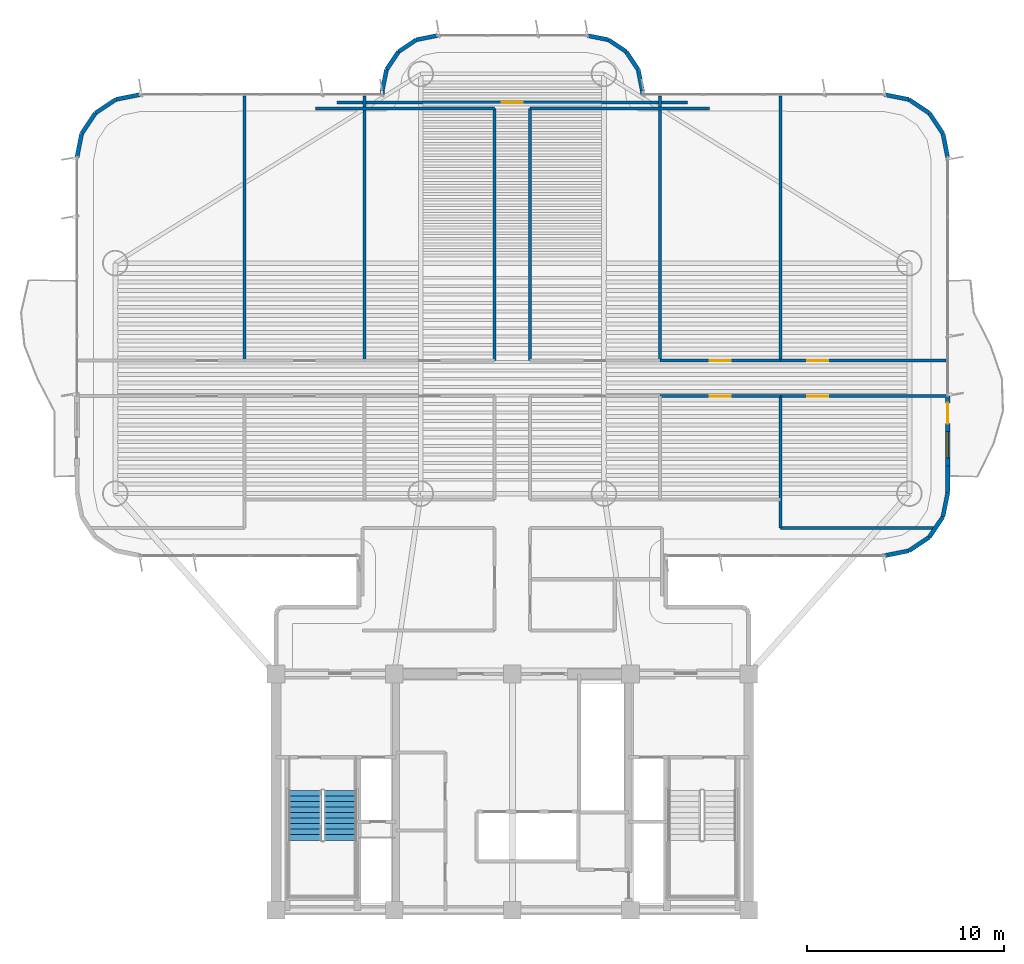
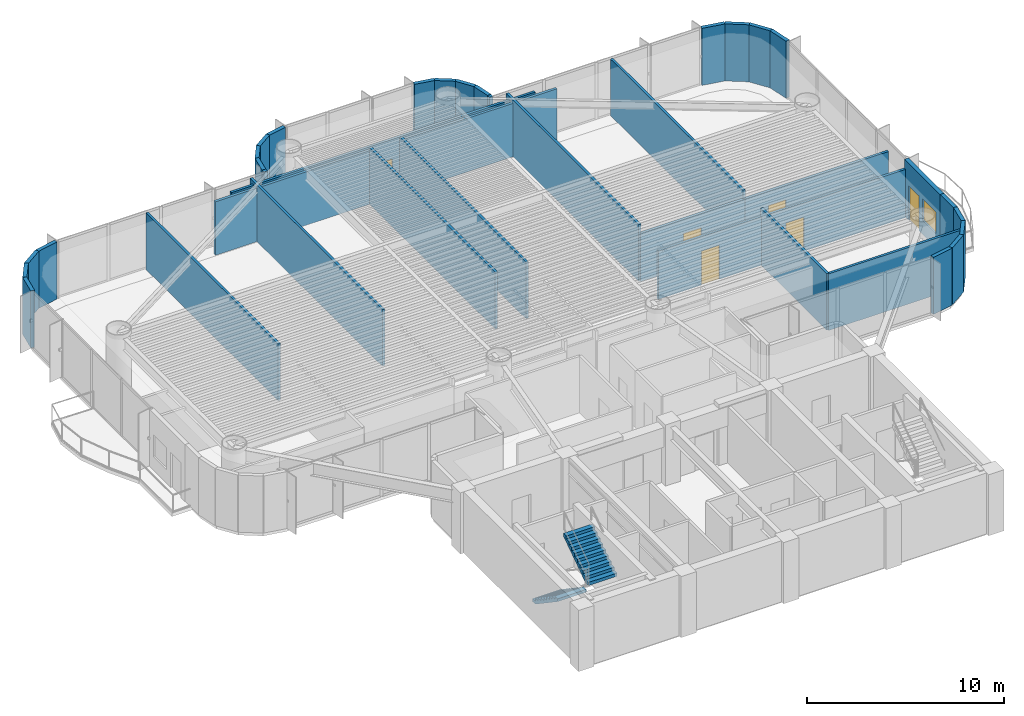
# One storey, part 11 of 16: 39 walls, 6 doors, 2 stair flights, 1 window, 7 openings, 1 element without a shape of its own.
"""IFC4 building model written with IfcOpenShell, lengths in metres."""

from ifc_helpers import new_model, si_unit, direction, frame, frame_2d, origin, origin_2d, place, context, subcontext, project, spatial, polyline, rectangle, outline, extrude, source, transform, mapped, material, layer, layer_set, type_object, element, fill, aggregate, save


model = new_model("IFC4")

# Units and contexts
model_context = context("Model", 3, precision=1e-05, world=origin(), true_north=direction((0.0, 1.0)))
body_context = subcontext(model_context, "Body", "Model", "MODEL_VIEW")
ifc_project = project(units=[si_unit("LENGTHUNIT", "METRE"), si_unit("AREAUNIT", "SQUARE_METRE"), si_unit("VOLUMEUNIT", "CUBIC_METRE"), si_unit("PLANEANGLEUNIT", "RADIAN"), si_unit("MASSUNIT", "GRAM", prefix="KILO")], contexts=[model_context])

# Site, building, storey
site_placement = place(None, origin())
site = spatial("IfcSite", under=ifc_project, at=site_placement, CompositionType="ELEMENT")
building_placement = place(site_placement, origin())
building = spatial("IfcBuilding", under=site, at=building_placement, Name="Brelvock Crest Care Tower", CompositionType="ELEMENT")
storey_placement = place(building_placement, frame((0.0, 0.0, 108.719970703125)))
storey = spatial("IfcBuildingStorey", under=building, at=storey_placement, Name="L27", CompositionType="ELEMENT", Elevation=108.719970703125)

# Wall, openings, door, window
ifc_material_1 = material(Name="Precast concrete N40 (40 MPa)", Category="concrete")
ifc_layer_1 = layer(ifc_material_1, 0.239990234375, Name="WL-EX1")
ifc_layer_set_1 = layer_set([ifc_layer_1], Name="Precast concrete N40 (40 MPa)")
wall_type_1 = type_object("IfcWallType", Name="WL-EX1", PredefinedType="SOLIDWALL", material=ifc_layer_set_1)
wall_1_placement = place(storey_placement, frame((58.10009765625, 32.14990234375, 0.0), z_axis=(0.0, 0.0, 1.0), x_axis=(0.0, -1.0, 0.0)))
wall_1 = element("IfcWall", 1, at=wall_1_placement, inside=storey, type_object=wall_type_1, Name="L27 Exterior Spandrel Wall WL-BAL-L27-E", PredefinedType="SOLIDWALL", context=body_context, shape_type="SweptSolid", body=[
    extrude(rectangle(XDim=3.599853515625, YDim=0.239990234375, at=frame_2d((1.7998046875, 0.0))), origin(), (0.0, 0.0, 1.0), 3.530029296875),
])
opening_1_placement = place(wall_1_placement, frame((0.39990234375, 0.0, 0.0)))
opening_1 = element("IfcOpeningElement", 2, at=opening_1_placement, cuts=wall_1, Name="Opening BD-1", PredefinedType="OPENING", context=body_context, shape_type="SweptSolid", body=[
    extrude(rectangle(XDim=1.050048828125, YDim=2.14990234375, at=origin_2d()), frame((0.52490234375, 0.1298828125, 1.074951171875), z_axis=(0.0, -1.0, 0.0), x_axis=(1.0, 0.0, 0.0)), (0.0, 0.0, 1.0), 0.260009765625),
])
opening_2_placement = place(wall_1_placement, frame((1.85009765625, 0.0, 0.85009765625)))
opening_2 = element("IfcOpeningElement", 3, at=opening_2_placement, cuts=wall_1, Name="Opening W-01", PredefinedType="OPENING", context=body_context, shape_type="SweptSolid", body=[
    extrude(rectangle(XDim=1.35009765625, YDim=1.35009765625, at=origin_2d()), frame((0.675048828125, 0.1298828125, 0.675048828125), z_axis=(0.0, -1.0, 0.0), x_axis=(1.0, 0.0, 0.0)), (0.0, 0.0, 1.0), 0.260009765625),
])
ifc_material_2 = material(Name="Dark Glass Double Glazed Low-E", Category="glass")
door_type_1 = type_object("IfcDoorType", Name="DR-BAL1", OperationType="NOTDEFINED", PredefinedType="DOOR", material=ifc_material_2)
shared_shape_1 = source(origin(), body_context, "Body", "SweptSolid", [
    extrude(rectangle(XDim=1.050048828125, YDim=2.14990234375, at=origin_2d()), frame((0.52490234375, 0.02490234375, 1.074951171875), z_axis=(0.0, -1.0, 0.0), x_axis=(1.0, 0.0, 0.0)), (0.0, 0.0, 1.0), 0.050048828125),
])
door_1_placement = place(opening_1_placement, origin())
door_1 = element("IfcDoor", 4, at=door_1_placement, inside=storey, type_object=door_type_1, Name="L27 E Wave Balcony Glazed Door", OperationType="SINGLE_SWING_RIGHT", OverallHeight=2.14990234375, OverallWidth=1.050048828125, PredefinedType="DOOR", context=body_context, shape_type="MappedRepresentation", body=[
    mapped(shared_shape_1, transform((0.0, 0.0, 0.0), x_axis=(1.0, 0.0, 0.0), y_axis=(0.0, 1.0, 0.0), z_axis=(0.0, 0.0, 1.0), scale=1.0)),
])
fill(opening_1, door_1)
window_type = type_object("IfcWindowType", Name="WN-EX1", PartitioningType="SINGLE_PANEL", PredefinedType="WINDOW", material=ifc_material_2)
shared_shape_2 = source(origin(), body_context, "Body", "SweptSolid", [
    extrude(rectangle(XDim=1.35009765625, YDim=1.35009765625, at=origin_2d()), frame((0.675048828125, 0.030029296875, 0.675048828125), z_axis=(0.0, -1.0, 0.0), x_axis=(1.0, 0.0, 0.0)), (0.0, 0.0, 1.0), 0.06005859375),
])
window_placement = place(opening_2_placement, origin())
window = element("IfcWindow", 5, at=window_placement, inside=storey, type_object=window_type, Name="L27 E Suite Casement Window", OverallHeight=1.35009765625, OverallWidth=1.35009765625, PartitioningType="SINGLE_PANEL", PredefinedType="WINDOW", context=body_context, shape_type="MappedRepresentation", body=[
    mapped(shared_shape_2, transform((0.0, 0.0, 0.0), x_axis=(1.0, 0.0, 0.0), y_axis=(0.0, 1.0, 0.0), z_axis=(0.0, 0.0, 1.0), scale=1.0)),
])
fill(opening_2, window)

# Walls
ifc_layer_2 = layer(ifc_material_1, 0.215087890625, Name="WL-EX2")
ifc_layer_set_2 = layer_set([ifc_layer_2], Name="Precast concrete N40 (40 MPa)")
wall_type_2 = type_object("IfcWallType", Name="WL-EX2", PredefinedType="SOLIDWALL", material=ifc_layer_set_2)
for number, where, z_axis, x_axis, name in (
    (6, (13.89990234375, 44.199951171875, 0.0), (0.0, 0.0, 1.0), (0.195138390419, 0.980775717779, 0.0), "L27 Rounded Corner Wall 18"),
    (7, (14.1435546875, 45.424560546875, 0.0), (0.0, 0.0, 1.0), (0.555692485475, 0.831387912822, 0.0), "L27 Rounded Corner Wall 19"),
    (8, (14.83740234375, 46.462646484375, 0.0), (0.0, 0.0, 1.0), (0.831387912822, 0.555692485475, 0.0), "L27 Rounded Corner Wall 20"),
    (9, (15.87548828125, 47.156494140625, 0.0), (0.0, 0.0, 1.0), (0.980813122964, 0.194950295773, 0.0), "L27 Rounded Corner Wall 21"),
):
    element("IfcWall", number, at=place(storey_placement, frame(where, z_axis=z_axis, x_axis=x_axis)), inside=storey, type_object=wall_type_2, Name=name, PredefinedType="SOLIDWALL", context=body_context, shape_type="SweptSolid", body=[
        extrude(rectangle(XDim=1.24853515625, YDim=0.215087890625, at=frame_2d((0.624267578125, 0.0))), origin(), (0.0, 0.0, 1.0), 3.530029296875),
    ])
wall_2_placement = place(storey_placement, frame((29.39990234375, 47.39990234375, 0.0), z_axis=(0.0, 0.0, 1.0), x_axis=(0.0, 1.0, 0.0)))
element("IfcWall", 10, at=wall_2_placement, inside=storey, type_object=wall_type_2, Name="L27 Rounded Corner Wall 23", PredefinedType="SOLIDWALL", context=body_context, shape_type="SweptSolid", body=[
    extrude(rectangle(XDim=0.2001953125, YDim=0.215087890625, at=frame_2d((0.10009765625, 0.0))), origin(), (0.0, 0.0, 1.0), 3.530029296875),
])
wall_3_placement = place(storey_placement, frame((29.39990234375, 47.60009765625, 0.0), z_axis=(0.0, 0.0, 1.0), x_axis=(0.195127417394, 0.980777900945, 0.0)))
element("IfcWall", 11, at=wall_3_placement, inside=storey, type_object=wall_type_2, Name="L27 Rounded Corner Wall 24", PredefinedType="SOLIDWALL", context=body_context, shape_type="SweptSolid", body=[
    extrude(rectangle(XDim=1.09228515625, YDim=0.215087890625, at=frame_2d((0.546142578125, 0.0))), origin(), (0.0, 0.0, 1.0), 3.530029296875),
])
wall_4_placement = place(storey_placement, frame((29.613037109375, 48.67138671875, 0.0), z_axis=(0.0, 0.0, 1.0), x_axis=(0.555679482341, 0.831396603857, 0.0)))
element("IfcWall", 12, at=wall_4_placement, inside=storey, type_object=wall_type_2, Name="L27 Rounded Corner Wall 25", PredefinedType="SOLIDWALL", context=body_context, shape_type="SweptSolid", body=[
    extrude(rectangle(XDim=1.0927734375, YDim=0.215087890625, at=frame_2d((0.54638671875, 0.0))), origin(), (0.0, 0.0, 1.0), 3.530029296875),
])
for number, where, z_axis, x_axis, name in (
    (13, (30.22021484375, 49.579833984375, 0.0), (0.0, 0.0, 1.0), (0.831327592857, 0.555782721353, 0.0), "L27 Rounded Corner Wall 26"),
    (14, (31.12841796875, 50.18701171875, 0.0), (0.0, 0.0, 1.0), (0.980829143587, 0.194869677195, 0.0), "L27 Rounded Corner Wall 27"),
    (15, (39.800048828125, 50.39990234375, 0.0), (0.0, 0.0, 1.0), (0.980829143587, -0.194869677195, 0.0), "L27 Rounded Corner Wall 29"),
    (16, (40.87158203125, 50.18701171875, 0.0), (0.0, 0.0, 1.0), (0.831327592857, -0.555782721353, 0.0), "L27 Rounded Corner Wall 30"),
):
    element("IfcWall", number, at=place(storey_placement, frame(where, z_axis=z_axis, x_axis=x_axis)), inside=storey, type_object=wall_type_2, Name=name, PredefinedType="SOLIDWALL", context=body_context, shape_type="SweptSolid", body=[
        extrude(rectangle(XDim=1.092529296875, YDim=0.215087890625, at=frame_2d((0.54638671875, 0.0))), origin(), (0.0, 0.0, 1.0), 3.530029296875),
    ])
wall_5_placement = place(storey_placement, frame((41.77978515625, 49.579833984375, 0.0), z_axis=(0.0, 0.0, 1.0), x_axis=(0.555679482341, -0.831396603857, 0.0)))
element("IfcWall", 17, at=wall_5_placement, inside=storey, type_object=wall_type_2, Name="L27 Rounded Corner Wall 31", PredefinedType="SOLIDWALL", context=body_context, shape_type="SweptSolid", body=[
    extrude(rectangle(XDim=1.0927734375, YDim=0.215087890625, at=frame_2d((0.54638671875, 0.0))), origin(), (0.0, 0.0, 1.0), 3.530029296875),
])
wall_6_placement = place(storey_placement, frame((42.386962890625, 48.67138671875, 0.0), z_axis=(0.0, 0.0, 1.0), x_axis=(0.195127417394, -0.980777900945, 0.0)))
element("IfcWall", 18, at=wall_6_placement, inside=storey, type_object=wall_type_2, Name="L27 Rounded Corner Wall 32", PredefinedType="SOLIDWALL", context=body_context, shape_type="SweptSolid", body=[
    extrude(rectangle(XDim=1.09228515625, YDim=0.215087890625, at=frame_2d((0.546142578125, 0.0))), origin(), (0.0, 0.0, 1.0), 3.530029296875),
])
wall_7_placement = place(storey_placement, frame((42.60009765625, 47.60009765625, 0.0), z_axis=(0.0, 0.0, 1.0), x_axis=(0.0, -1.0, 0.0)))
element("IfcWall", 19, at=wall_7_placement, inside=storey, type_object=wall_type_2, Name="L27 Rounded Corner Wall 33", PredefinedType="SOLIDWALL", context=body_context, shape_type="SweptSolid", body=[
    extrude(rectangle(XDim=0.2001953125, YDim=0.215087890625, at=frame_2d((0.10009765625, 0.0))), origin(), (0.0, 0.0, 1.0), 3.530029296875),
])
for number, where, z_axis, x_axis, name in (
    (20, (54.89990234375, 47.39990234375, 0.0), (0.0, 0.0, 1.0), (0.980813122964, -0.194950295773, 0.0), "L27 Rounded Corner Wall 35"),
    (21, (56.12451171875, 47.156494140625, 0.0), (0.0, 0.0, 1.0), (0.831387912822, -0.555692485475, 0.0), "L27 Rounded Corner Wall 36"),
    (22, (57.16259765625, 46.462646484375, 0.0), (0.0, 0.0, 1.0), (0.555692485475, -0.831387912822, 0.0), "L27 Rounded Corner Wall 37"),
    (23, (57.8564453125, 45.424560546875, 0.0), (0.0, 0.0, 1.0), (0.195138390419, -0.980775717779, 0.0), "L27 Rounded Corner Wall 38"),
):
    element("IfcWall", number, at=place(storey_placement, frame(where, z_axis=z_axis, x_axis=x_axis)), inside=storey, type_object=wall_type_2, Name=name, PredefinedType="SOLIDWALL", context=body_context, shape_type="SweptSolid", body=[
        extrude(rectangle(XDim=1.24853515625, YDim=0.215087890625, at=frame_2d((0.624267578125, 0.0))), origin(), (0.0, 0.0, 1.0), 3.530029296875),
    ])
wall_8_placement = place(storey_placement, frame((58.10009765625, 28.550048828125, 0.0), z_axis=(0.0, 0.0, 1.0), x_axis=(0.0, -1.0, 0.0)))
element("IfcWall", 24, at=wall_8_placement, inside=storey, type_object=wall_type_2, Name="L27 Exterior Spandrel Pier E39B", PredefinedType="SOLIDWALL", context=body_context, shape_type="SweptSolid", body=[
    extrude(rectangle(XDim=1.35009765625, YDim=0.215087890625, at=frame_2d((0.675048828125, 0.0))), origin(), (0.0, 0.0, 1.0), 3.530029296875),
])
for number, where, z_axis, x_axis, name in (
    (25, (58.10009765625, 27.199951171875, 0.0), (0.0, 0.0, 1.0), (-0.195138390419, -0.980775717779, 0.0), "L27 Rounded Corner Wall 40"),
    (26, (57.8564453125, 25.975341796875, 0.0), (0.0, 0.0, 1.0), (-0.555692485475, -0.831387912822, 0.0), "L27 Rounded Corner Wall 41"),
    (27, (57.16259765625, 24.937255859375, 0.0), (0.0, 0.0, 1.0), (-0.831478245117, -0.555557312883, 0.0), "L27 Rounded Corner Wall 42"),
    (28, (56.12451171875, 24.24365234375, 0.0), (0.0, 0.0, 1.0), (-0.980775717779, -0.195138390419, 0.0), "L27 Rounded Corner Wall 43"),
):
    element("IfcWall", number, at=place(storey_placement, frame(where, z_axis=z_axis, x_axis=x_axis)), inside=storey, type_object=wall_type_2, Name=name, PredefinedType="SOLIDWALL", context=body_context, shape_type="SweptSolid", body=[
        extrude(rectangle(XDim=1.24853515625, YDim=0.215087890625, at=frame_2d((0.624267578125, 0.0))), origin(), (0.0, 0.0, 1.0), 3.530029296875),
    ])
ifc_material_3 = material(Name="Masonry Blockwork Acoustic Partition", Category="masonry")
ifc_layer_3 = layer(ifc_material_3, 0.14990234375, Name="WL-INT1")
ifc_layer_set_3 = layer_set([ifc_layer_3], Name="Masonry Blockwork Acoustic Partition")
wall_type_3 = type_object("IfcWallType", Name="WL-INT1", PredefinedType="PARTITIONING", material=ifc_layer_set_3)
wall_9_placement = place(storey_placement, frame((49.60009765625, 25.39990234375, 0.0), z_axis=(0.0, 0.0, 1.0), x_axis=(1.0, 0.0, 0.0)))
element("IfcWall", 29, at=wall_9_placement, inside=storey, type_object=wall_type_3, Name="L27 Interior Wall WL-BX-L27-SE-S", PredefinedType="PARTITIONING", context=body_context, shape_type="SweptSolid", body=[
    extrude(rectangle(XDim=7.775634765625, YDim=0.14990234375, at=frame_2d((3.8876953125, 0.0))), origin(), (0.0, 0.0, 1.0), 3.5),
])

# Wall, opening, door
wall_10_placement = place(storey_placement, frame((43.5, 32.10009765625, 0.0), z_axis=(0.0, 0.0, 1.0), x_axis=(1.0, 0.0, 0.0)))
wall_10 = element("IfcWall", 30, at=wall_10_placement, inside=storey, type_object=wall_type_3, Name="L27 Interior Wall WL-RM-L27-ISEB", PredefinedType="PARTITIONING", context=body_context, shape_type="SweptSolid", body=[
    extrude(rectangle(XDim=6.10009765625, YDim=0.14990234375, at=frame_2d((3.050048828125, 0.0))), origin(), (0.0, 0.0, 1.0), 2.98193359375),
])
opening_3_placement = place(wall_10_placement, frame((2.52490234375, 0.0, 0.0)))
opening_3 = element("IfcOpeningElement", 31, at=opening_3_placement, cuts=wall_10, Name="Opening CLD-1", PredefinedType="OPENING", context=body_context, shape_type="SweptSolid", body=[
    extrude(rectangle(XDim=1.050048828125, YDim=2.10009765625, at=origin_2d()), frame((0.52490234375, 0.0849609375, 1.050048828125), z_axis=(0.0, -1.0, 0.0), x_axis=(1.0, 0.0, 0.0)), (0.0, 0.0, 1.0), 0.169921875),
])
ifc_material_4 = material(Name="Engineered Hardwood Timber", Category="wood")
door_type_2 = type_object("IfcDoorType", Name="DR-CLN1", OperationType="NOTDEFINED", PredefinedType="DOOR", material=ifc_material_4)
shared_shape_3 = source(origin(), body_context, "Body", "SweptSolid", [
    extrude(rectangle(XDim=1.050048828125, YDim=2.10009765625, at=origin_2d()), frame((0.52490234375, 0.02490234375, 1.050048828125), z_axis=(0.0, -1.0, 0.0), x_axis=(1.0, 0.0, 0.0)), (0.0, 0.0, 1.0), 0.050048828125),
])
door_2_placement = place(opening_3_placement, origin())
door_2 = element("IfcDoor", 32, at=door_2_placement, inside=storey, type_object=door_type_2, Name="L27 Geriatric Hydro-Consultation Door ISEB", OperationType="SINGLE_SWING_LEFT", OverallHeight=2.10009765625, OverallWidth=1.050048828125, PredefinedType="DOOR", context=body_context, shape_type="MappedRepresentation", body=[
    mapped(shared_shape_3, transform((0.0, 0.0, 0.0), x_axis=(1.0, 0.0, 0.0), y_axis=(0.0, 1.0, 0.0), z_axis=(0.0, 0.0, 1.0), scale=1.0)),
])
fill(opening_3, door_2)

wall_11_placement = place(storey_placement, frame((49.60009765625, 32.10009765625, 0.0), z_axis=(0.0, 0.0, 1.0), x_axis=(1.0, 0.0, 0.0)))
wall_11 = element("IfcWall", 33, at=wall_11_placement, inside=storey, type_object=wall_type_3, Name="L27 Interior Wall WL-RM-L27-SE", PredefinedType="PARTITIONING", context=body_context, shape_type="SweptSolid", body=[
    extrude(rectangle(XDim=8.419921875, YDim=0.14990234375, at=frame_2d((4.2099609375, 0.0))), origin(), (0.0, 0.0, 1.0), 2.98193359375),
])
opening_4_placement = place(wall_11_placement, frame((1.375, 0.0, 0.0)))
opening_4 = element("IfcOpeningElement", 34, at=opening_4_placement, cuts=wall_11, Name="Opening CLD-1", PredefinedType="OPENING", context=body_context, shape_type="SweptSolid", body=[
    extrude(rectangle(XDim=1.050048828125, YDim=2.10009765625, at=origin_2d()), frame((0.52490234375, 0.0849609375, 1.050048828125), z_axis=(0.0, -1.0, 0.0), x_axis=(1.0, 0.0, 0.0)), (0.0, 0.0, 1.0), 0.169921875),
])
door_3_placement = place(opening_4_placement, origin())
door_3 = element("IfcDoor", 35, at=door_3_placement, inside=storey, type_object=door_type_2, Name="L27 Rehabilitation Therapy Suite Door SE", OperationType="SINGLE_SWING_LEFT", OverallHeight=2.10009765625, OverallWidth=1.050048828125, PredefinedType="DOOR", context=body_context, shape_type="MappedRepresentation", body=[
    mapped(shared_shape_3, transform((0.0, 0.0, 0.0), x_axis=(1.0, 0.0, 0.0), y_axis=(0.0, 1.0, 0.0), z_axis=(0.0, 0.0, 1.0), scale=1.0)),
])
fill(opening_4, door_3)

wall_12_placement = place(storey_placement, frame((43.5, 33.89990234375, 0.0), z_axis=(0.0, 0.0, 1.0), x_axis=(1.0, 0.0, 0.0)))
wall_12 = element("IfcWall", 36, at=wall_12_placement, inside=storey, type_object=wall_type_3, Name="L27 Interior Wall WL-RM-L27-INEB", PredefinedType="PARTITIONING", context=body_context, shape_type="SweptSolid", body=[
    extrude(rectangle(XDim=6.10009765625, YDim=0.14990234375, at=frame_2d((3.050048828125, 0.0))), origin(), (0.0, 0.0, 1.0), 2.98193359375),
])
opening_5_placement = place(wall_12_placement, frame((2.52490234375, 0.0, 0.0)))
opening_5 = element("IfcOpeningElement", 37, at=opening_5_placement, cuts=wall_12, Name="Opening CLD-1", PredefinedType="OPENING", context=body_context, shape_type="SweptSolid", body=[
    extrude(rectangle(XDim=1.050048828125, YDim=2.10009765625, at=origin_2d()), frame((0.52490234375, 0.0849609375, 1.050048828125), z_axis=(0.0, -1.0, 0.0), x_axis=(1.0, 0.0, 0.0)), (0.0, 0.0, 1.0), 0.169921875),
])
door_4_placement = place(opening_5_placement, origin())
door_4 = element("IfcDoor", 38, at=door_4_placement, inside=storey, type_object=door_type_2, Name="L27 Geriatric Hydro-Consultation Door INEB", OperationType="SINGLE_SWING_LEFT", OverallHeight=2.10009765625, OverallWidth=1.050048828125, PredefinedType="DOOR", context=body_context, shape_type="MappedRepresentation", body=[
    mapped(shared_shape_3, transform((0.0, 0.0, 0.0), x_axis=(1.0, 0.0, 0.0), y_axis=(0.0, 1.0, 0.0), z_axis=(0.0, 0.0, 1.0), scale=1.0)),
])
fill(opening_5, door_4)

wall_13_placement = place(storey_placement, frame((49.60009765625, 33.89990234375, 0.0), z_axis=(0.0, 0.0, 1.0), x_axis=(1.0, 0.0, 0.0)))
wall_13 = element("IfcWall", 39, at=wall_13_placement, inside=storey, type_object=wall_type_3, Name="L27 Interior Wall WL-RM-L27-NE", PredefinedType="PARTITIONING", context=body_context, shape_type="SweptSolid", body=[
    extrude(rectangle(XDim=8.419921875, YDim=0.14990234375, at=frame_2d((4.2099609375, 0.0))), origin(), (0.0, 0.0, 1.0), 2.98193359375),
])
opening_6_placement = place(wall_13_placement, frame((1.375, 0.0, 0.0)))
opening_6 = element("IfcOpeningElement", 40, at=opening_6_placement, cuts=wall_13, Name="Opening CLD-1", PredefinedType="OPENING", context=body_context, shape_type="SweptSolid", body=[
    extrude(rectangle(XDim=1.050048828125, YDim=2.10009765625, at=origin_2d()), frame((0.52490234375, 0.0849609375, 1.050048828125), z_axis=(0.0, -1.0, 0.0), x_axis=(1.0, 0.0, 0.0)), (0.0, 0.0, 1.0), 0.169921875),
])
door_5_placement = place(opening_6_placement, origin())
door_5 = element("IfcDoor", 41, at=door_5_placement, inside=storey, type_object=door_type_2, Name="L27 Rehabilitation Therapy Suite Door NE", OperationType="SINGLE_SWING_LEFT", OverallHeight=2.10009765625, OverallWidth=1.050048828125, PredefinedType="DOOR", context=body_context, shape_type="MappedRepresentation", body=[
    mapped(shared_shape_3, transform((0.0, 0.0, 0.0), x_axis=(1.0, 0.0, 0.0), y_axis=(0.0, 1.0, 0.0), z_axis=(0.0, 0.0, 1.0), scale=1.0)),
])
fill(opening_6, door_5)

# Walls
for number, where, z_axis, x_axis, name in (
    (42, (26.0, 46.699951171875, 0.0), (0.0, 0.0, 1.0), (1.0, 0.0, 0.0), "L27 Interior Wall WL-BX-L27-INWB-N"),
    (43, (36.89990234375, 46.699951171875, 0.0), (0.0, 0.0, 1.0), (1.0, 0.0, 0.0), "L27 Interior Wall WL-BX-L27-INEA-N"),
):
    element("IfcWall", number, at=place(storey_placement, frame(where, z_axis=z_axis, x_axis=x_axis)), inside=storey, type_object=wall_type_3, Name=name, PredefinedType="PARTITIONING", context=body_context, shape_type="SweptSolid", body=[
        extrude(rectangle(XDim=9.10009765625, YDim=0.14990234375, at=frame_2d((4.550048828125, 0.0))), origin(), (0.0, 0.0, 1.0), 3.30810546875),
    ])

# Wall, opening, door
wall_14_placement = place(storey_placement, frame((27.10009765625, 47.0, 0.0), z_axis=(0.0, 0.0, 1.0), x_axis=(1.0, 0.0, 0.0)))
wall_14 = element("IfcWall", 44, at=wall_14_placement, inside=storey, type_object=wall_type_3, Name="L27 Interior Wall WL-RM-L27-NHUB", PredefinedType="PARTITIONING", context=body_context, shape_type="SweptSolid", body=[
    extrude(rectangle(XDim=17.7998046875, YDim=0.14990234375, at=frame_2d((8.89990234375, 0.0))), origin(), (0.0, 0.0, 1.0), 3.30810546875),
])
opening_7_placement = place(wall_14_placement, frame((8.375, 0.0, 0.0)))
opening_7 = element("IfcOpeningElement", 45, at=opening_7_placement, cuts=wall_14, Name="Opening CLD-1", PredefinedType="OPENING", context=body_context, shape_type="SweptSolid", body=[
    extrude(rectangle(XDim=1.050048828125, YDim=2.10009765625, at=origin_2d()), frame((0.52490234375, 0.0849609375, 1.050048828125), z_axis=(0.0, -1.0, 0.0), x_axis=(1.0, 0.0, 0.0)), (0.0, 0.0, 1.0), 0.169921875),
])
door_6_placement = place(opening_7_placement, origin())
door_6 = element("IfcDoor", 46, at=door_6_placement, inside=storey, type_object=door_type_2, Name="L27 North Panorama Sunroom Door NHUB", OperationType="SINGLE_SWING_LEFT", OverallHeight=2.10009765625, OverallWidth=1.050048828125, PredefinedType="DOOR", context=body_context, shape_type="MappedRepresentation", body=[
    mapped(shared_shape_3, transform((0.0, 0.0, 0.0), x_axis=(1.0, 0.0, 0.0), y_axis=(0.0, 1.0, 0.0), z_axis=(0.0, 0.0, 1.0), scale=1.0)),
])
fill(opening_7, door_6)

# Walls
wall_15_placement = place(storey_placement, frame((22.39990234375, 33.89990234375, 0.0), z_axis=(0.0, 0.0, 1.0), x_axis=(0.0, 1.0, 0.0)))
element("IfcWall", 47, at=wall_15_placement, inside=storey, type_object=wall_type_3, Name="L27 Interior Wall WL-BX-L27-INWA-W", PredefinedType="PARTITIONING", context=body_context, shape_type="SweptSolid", body=[
    extrude(rectangle(XDim=13.4208984375, YDim=0.14990234375, at=frame_2d((6.71044921875, 0.0))), origin(), (0.0, 0.0, 1.0), 3.5),
])
wall_16_placement = place(storey_placement, frame((28.5, 33.89990234375, 0.0), z_axis=(0.0, 0.0, 1.0), x_axis=(0.0, 1.0, 0.0)))
element("IfcWall", 48, at=wall_16_placement, inside=storey, type_object=wall_type_3, Name="L27 Interior Wall WL-BX-L27-INWA-E", PredefinedType="PARTITIONING", context=body_context, shape_type="SweptSolid", body=[
    extrude(rectangle(XDim=13.42138671875, YDim=0.14990234375, at=frame_2d((6.710693359375, 0.0))), origin(), (0.0, 0.0, 1.0), 3.5),
])
for number, where, z_axis, x_axis, name in (
    (49, (35.10009765625, 33.89990234375, 0.0), (0.0, 0.0, 1.0), (0.0, 1.0, 0.0), "L27 Interior Wall WL-BX-L27-INWB-E"),
    (50, (36.89990234375, 33.89990234375, 0.0), (0.0, 0.0, 1.0), (0.0, 1.0, 0.0), "L27 Interior Wall WL-BX-L27-INEA-W"),
):
    element("IfcWall", number, at=place(storey_placement, frame(where, z_axis=z_axis, x_axis=x_axis)), inside=storey, type_object=wall_type_3, Name=name, PredefinedType="PARTITIONING", context=body_context, shape_type="SweptSolid", body=[
        extrude(rectangle(XDim=12.800048828125, YDim=0.14990234375, at=frame_2d((6.39990234375, 0.0))), origin(), (0.0, 0.0, 1.0), 3.5),
    ])
wall_17_placement = place(storey_placement, frame((43.5, 33.89990234375, 0.0), z_axis=(0.0, 0.0, 1.0), x_axis=(0.0, 1.0, 0.0)))
element("IfcWall", 51, at=wall_17_placement, inside=storey, type_object=wall_type_3, Name="L27 Interior Wall WL-BX-L27-INEA-E", PredefinedType="PARTITIONING", context=body_context, shape_type="SweptSolid", body=[
    extrude(rectangle(XDim=13.42138671875, YDim=0.14990234375, at=frame_2d((6.710693359375, 0.0))), origin(), (0.0, 0.0, 1.0), 3.5),
])
wall_18_placement = place(storey_placement, frame((49.60009765625, 25.39990234375, 0.0), z_axis=(0.0, 0.0, 1.0), x_axis=(0.0, 1.0, 0.0)))
element("IfcWall", 52, at=wall_18_placement, inside=storey, type_object=wall_type_3, Name="L27 Interior Wall WL-BX-L27-SE-W", PredefinedType="PARTITIONING", context=body_context, shape_type="SweptSolid", body=[
    extrude(rectangle(XDim=6.7001953125, YDim=0.14990234375, at=frame_2d((3.35009765625, 0.0))), origin(), (0.0, 0.0, 1.0), 3.5),
])
wall_19_placement = place(storey_placement, frame((49.60009765625, 33.89990234375, 0.0), z_axis=(0.0, 0.0, 1.0), x_axis=(0.0, 1.0, 0.0)))
element("IfcWall", 53, at=wall_19_placement, inside=storey, type_object=wall_type_3, Name="L27 Interior Wall WL-BX-L27-INEB-E", PredefinedType="PARTITIONING", context=body_context, shape_type="SweptSolid", body=[
    extrude(rectangle(XDim=13.4208984375, YDim=0.14990234375, at=frame_2d((6.71044921875, 0.0))), origin(), (0.0, 0.0, 1.0), 3.5),
])

# Stair, stair flights
ifc_material_5 = material(Name="Concrete N40 (40 MPa)", Category="concrete")
stair_type = type_object("IfcStairType", Name="ST-CORE1", PredefinedType="HALF_TURN_STAIR", material=ifc_material_5)
stair_placement = place(storey_placement, origin())
stair = element("IfcStair", 54, at=stair_placement, inside=storey, type_object=stair_type, Name="L27 Fire-Isolated Core Stair ST-1", PredefinedType="HALF_TURN_STAIR")
stair_flight_type = type_object("IfcStairFlightType", Name="STF-1", PredefinedType="STRAIGHT", material=ifc_material_5)
stair_flight_1_placement = place(storey_placement, frame((25.469970703125, 12.080078125, 0.0), z_axis=(0.0, 0.0, 1.0), x_axis=(0.0, -1.0, 0.0)))
stair_flight_1 = element("IfcStairFlight", 55, at=stair_flight_1_placement, type_object=stair_flight_type, Name="ST-1 flight 1", NumberOfRisers=10, NumberOfTreads=9, PredefinedType="STRAIGHT", RiserHeight=0.189, TreadLength=0.28, context=body_context, shape_type="SweptSolid", body=[
    extrude(outline(polyline([(-0.00390625, -0.014892578125), (-0.00390625, -0.0078125), (-0.00390625, -0.00048828125), (-0.00390625, 0.0068359375), (-0.00390625, 0.01416015625), (-0.00390625, 0.021484375), (-0.00390625, 0.02880859375), (-0.00390625, 0.035888671875), (-0.00390625, 0.043212890625), (-0.00390625, 0.050537109375), (-0.00390625, 0.057861328125), (-0.00390625, 0.065185546875), (-0.00390625, 0.072509765625), (-0.00390625, 0.07958984375), (-0.00390625, 0.0869140625), (-0.00390625, 0.09423828125), (-0.00390625, 0.1015625), (-0.00390625, 0.10888671875), (-0.00390625, 0.1162109375), (-0.00390625, 0.12353515625), (-0.00390625, 0.130615234375), (-0.00390625, 0.137939453125), (-0.00390625, 0.145263671875), (-0.00390625, 0.152587890625), (-0.00390625, 0.159912109375), (-0.00390625, 0.167236328125), (-0.00390625, 0.17431640625), (-0.00390625, 0.181640625), (-0.00390625, 0.18896484375), (0.0, 0.18896484375), (0.280029296875, 0.18896484375), (0.280029296875, 0.3779296875), (0.56005859375, 0.3779296875), (0.56005859375, 0.56689453125), (0.840087890625, 0.56689453125), (0.840087890625, 0.756103515625), (1.1201171875, 0.756103515625), (1.1201171875, 0.945068359375), (1.39990234375, 0.945068359375), (1.39990234375, 1.134033203125), (1.679931640625, 1.134033203125), (1.679931640625, 1.322998046875), (1.9599609375, 1.322998046875), (1.9599609375, 1.511962890625), (2.239990234375, 1.511962890625), (2.239990234375, 1.700927734375), (2.52001953125, 1.700927734375), (2.52392578125, 1.700927734375), (2.523681640625, 1.70068359375), (2.52392578125, 1.700439453125), (2.523681640625, 1.699951171875), (2.52392578125, 1.69970703125), (2.523681640625, 1.699462890625), (2.52392578125, 1.698974609375), (2.523681640625, 1.69873046875), (2.52392578125, 1.698486328125), (2.523681640625, 1.697998046875), (2.52392578125, 1.69775390625), (2.523681640625, 1.697509765625), (2.52392578125, 1.697021484375), (2.523681640625, 1.69677734375), (2.52392578125, 1.696533203125), (2.523681640625, 1.6962890625), (2.52392578125, 1.69580078125), (2.523681640625, 1.695556640625), (2.52392578125, 1.6953125), (2.523681640625, 1.69482421875), (2.52392578125, 1.694580078125), (2.523681640625, 1.6943359375), (2.52392578125, 1.69384765625), (2.523681640625, 1.693603515625), (2.52392578125, 1.693359375), (2.523681640625, 1.69287109375), (2.52392578125, 1.692626953125), (2.523681640625, 1.6923828125), (2.52392578125, 1.69189453125), (2.52001953125, 1.520263671875), (0.267822265625, 0.0), (0.0, 0.0), (0.0, -0.014892578125), (-0.00390625, -0.014892578125)])), frame((0.0, 0.83984375, 0.0), z_axis=(0.0, -1.0, 0.0), x_axis=(1.0, 0.0, 0.0)), (0.0, 0.0, 1.0), 1.679931640625),
])
stair_flight_2_placement = place(storey_placement, frame((27.27001953125, 9.56005859375, 1.89013671875), z_axis=(0.0, 0.0, 1.0), x_axis=(0.0, 1.0, 0.0)))
stair_flight_2 = element("IfcStairFlight", 56, at=stair_flight_2_placement, type_object=stair_flight_type, Name="ST-1 flight 2", NumberOfRisers=10, NumberOfTreads=9, PredefinedType="STRAIGHT", RiserHeight=0.189, TreadLength=0.28, context=body_context, shape_type="SweptSolid", body=[
    extrude(outline(polyline([(-0.00390625, -0.014892578125), (-0.00390625, -0.0078125), (-0.00390625, -0.00048828125), (-0.00390625, 0.0068359375), (-0.00390625, 0.01416015625), (-0.00390625, 0.021484375), (-0.00390625, 0.02880859375), (-0.00390625, 0.035888671875), (-0.00390625, 0.043212890625), (-0.00390625, 0.050537109375), (-0.00390625, 0.057861328125), (-0.00390625, 0.065185546875), (-0.00390625, 0.072509765625), (-0.00390625, 0.07958984375), (-0.00390625, 0.0869140625), (-0.00390625, 0.09423828125), (-0.00390625, 0.1015625), (-0.00390625, 0.10888671875), (-0.00390625, 0.1162109375), (-0.00390625, 0.12353515625), (-0.00390625, 0.130615234375), (-0.00390625, 0.137939453125), (-0.00390625, 0.145263671875), (-0.00390625, 0.152587890625), (-0.00390625, 0.159912109375), (-0.00390625, 0.167236328125), (-0.00390625, 0.17431640625), (-0.00390625, 0.181640625), (-0.00390625, 0.18896484375), (0.0, 0.18896484375), (0.280029296875, 0.18896484375), (0.280029296875, 0.3779296875), (0.56005859375, 0.3779296875), (0.56005859375, 0.56689453125), (0.840087890625, 0.56689453125), (0.840087890625, 0.756103515625), (1.1201171875, 0.756103515625), (1.1201171875, 0.945068359375), (1.39990234375, 0.945068359375), (1.39990234375, 1.134033203125), (1.679931640625, 1.134033203125), (1.679931640625, 1.322998046875), (1.9599609375, 1.322998046875), (1.9599609375, 1.511962890625), (2.239990234375, 1.511962890625), (2.239990234375, 1.700927734375), (2.52001953125, 1.700927734375), (2.52392578125, 1.700927734375), (2.523681640625, 1.70068359375), (2.52392578125, 1.700439453125), (2.523681640625, 1.699951171875), (2.52392578125, 1.69970703125), (2.523681640625, 1.699462890625), (2.52392578125, 1.698974609375), (2.523681640625, 1.69873046875), (2.52392578125, 1.698486328125), (2.523681640625, 1.697998046875), (2.52392578125, 1.69775390625), (2.523681640625, 1.697509765625), (2.52392578125, 1.697021484375), (2.523681640625, 1.69677734375), (2.52392578125, 1.696533203125), (2.523681640625, 1.6962890625), (2.52392578125, 1.69580078125), (2.523681640625, 1.695556640625), (2.52392578125, 1.6953125), (2.523681640625, 1.69482421875), (2.52392578125, 1.694580078125), (2.523681640625, 1.6943359375), (2.52392578125, 1.69384765625), (2.523681640625, 1.693603515625), (2.52392578125, 1.693359375), (2.523681640625, 1.69287109375), (2.52392578125, 1.692626953125), (2.523681640625, 1.6923828125), (2.52392578125, 1.69189453125), (2.52001953125, 1.520263671875), (0.267822265625, 0.0), (0.0, 0.0), (0.0, -0.014892578125), (-0.00390625, -0.014892578125)])), frame((0.0, 0.83984375, 0.0), z_axis=(0.0, -1.0, 0.0), x_axis=(1.0, 0.0, 0.0)), (0.0, 0.0, 1.0), 1.679931640625),
])
aggregate(stair, [stair_flight_1, stair_flight_2])

save(model, "model.ifc")
